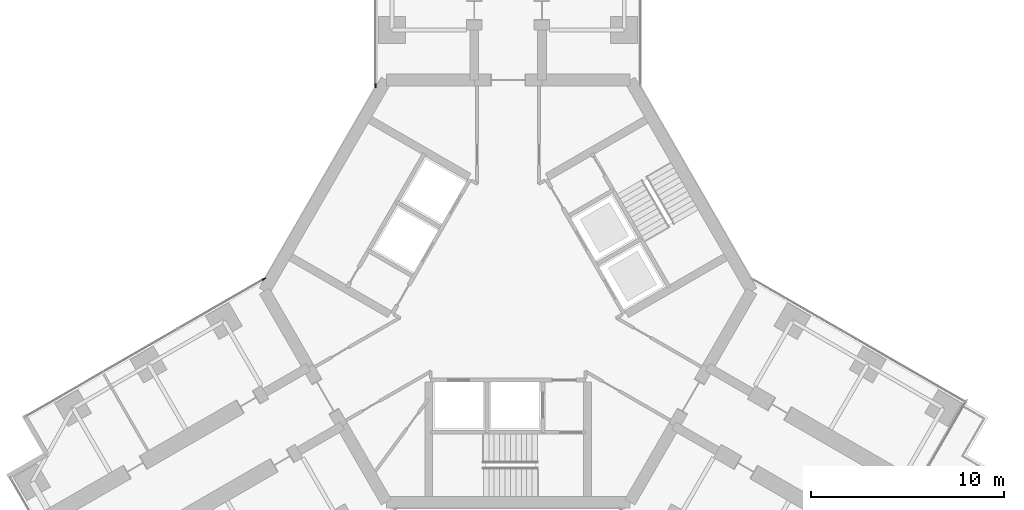
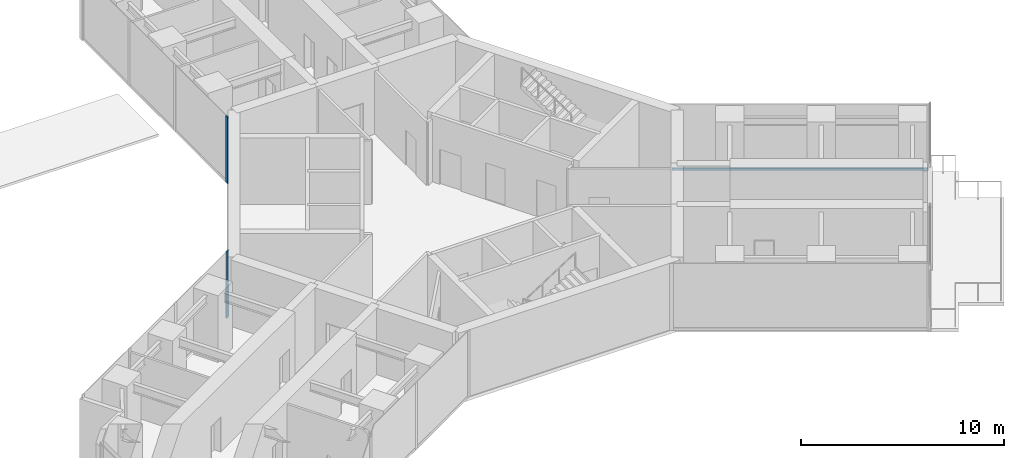
# One storey, part 9 of 22: 3 members, 3 elements without a shape of their own.
"""IFC4 building model written with IfcOpenShell, lengths in metres."""

import ifcopenshell
import ifcopenshell.guid

model = None  # the IFC model being written
_history = None  # IfcOwnerHistory: only IFC2X3 demands one
_inside = {}  # id of a spatial element -> (the spatial element, [elements in it])
_under = {}  # id of a project, library or spatial element -> (it, [spatial elements below it])
_declared = {}  # id of a project -> (the project, [libraries it declares])
_typed = {}  # id of a type object -> (the type object, [elements of that type])
_made_of = {}  # id of a material, layer set ... -> (it, [elements and type objects made of it])


def new_model(schema):
    """Start an empty IFC model of exactly this schema.

    Asked for "IFC4X3", IfcOpenShell would pick the latest addendum, in which some entities
    have other attributes; the version numbers below select the first issue.
    IFC2X3 requires an IfcOwnerHistory on every rooted entity: one is made here for all.
    """
    global model, _history
    if schema == "IFC4X3":
        model = ifcopenshell.file(schema_version=(4, 3, 0, 0))
    else:
        model = ifcopenshell.file(schema=schema)
    _inside.clear()
    _under.clear()
    _declared.clear()
    _typed.clear()
    _made_of.clear()
    _history = None
    if model.schema == "IFC2X3":
        org = make("IfcOrganization", Name="unknown")
        user = make(
            "IfcPersonAndOrganization",
            ThePerson=make("IfcPerson", FamilyName="unknown"),
            TheOrganization=org,
        )
        app = make(
            "IfcApplication",
            ApplicationDeveloper=org,
            Version="unknown",
            ApplicationFullName="unknown",
            ApplicationIdentifier="unknown",
        )
        _history = make(
            "IfcOwnerHistory",
            OwningUser=user,
            OwningApplication=app,
            ChangeAction="ADDED",
            CreationDate=0,
        )
    return model


def make(cls, **values):
    """One entity of the class cls with the attributes given. An attribute that is None is left unset."""
    return model.create_entity(
        cls, **{name: value for name, value in values.items() if value is not None}
    )


def rooted(cls, **values):
    """An entity with a GlobalId (a new one), such as an element, a storey or a relation."""
    return make(cls, GlobalId=ifcopenshell.guid.new(), OwnerHistory=_history, **values)


def si_unit(unit_type, name, prefix=None):
    """IfcSIUnit, for example si_unit("LENGTHUNIT", "METRE", prefix="MILLI")."""
    return make("IfcSIUnit", UnitType=unit_type, Prefix=prefix, Name=name)


def assignment(units):
    """IfcUnitAssignment: the units of a project."""
    return None if units is None else make("IfcUnitAssignment", Units=units)


def point(xyz):
    """IfcCartesianPoint."""
    return None if xyz is None else make("IfcCartesianPoint", Coordinates=xyz)


def direction(xyz):
    """IfcDirection."""
    return None if xyz is None else make("IfcDirection", DirectionRatios=xyz)


def frame(location, z_axis=None, x_axis=None):
    """IfcAxis2Placement3D, a coordinate frame: its origin and axes. An axis left out is left unset."""
    return make(
        "IfcAxis2Placement3D",
        Location=point(location),
        Axis=direction(z_axis),
        RefDirection=direction(x_axis),
    )


def frame_2d(location, x_axis=None):
    """IfcAxis2Placement2D, a coordinate frame in the plane: its origin and x axis."""
    return make(
        "IfcAxis2Placement2D", Location=point(location), RefDirection=direction(x_axis)
    )


def origin():
    """The frame at (0, 0, 0) with its axes left unset."""
    return frame((0.0, 0.0, 0.0))


def origin_2d():
    """The frame at (0, 0) in the plane with its x axis left unset."""
    return frame_2d((0.0, 0.0))


def place(relative_to, where):
    """IfcLocalPlacement: puts the frame where relative to a parent placement (None: the world)."""
    return make(
        "IfcLocalPlacement", PlacementRelTo=relative_to, RelativePlacement=where
    )


def context(
    kind, dimensions, precision=None, world=None, true_north=None, identifier=None
):
    """IfcGeometricRepresentationContext, for example the 3D "Model" context."""
    return make(
        "IfcGeometricRepresentationContext",
        ContextIdentifier=identifier,
        ContextType=kind,
        CoordinateSpaceDimension=dimensions,
        Precision=precision,
        WorldCoordinateSystem=world,
        TrueNorth=true_north,
    )


def subcontext(parent, identifier, kind, view, scale=None):
    """IfcGeometricRepresentationSubContext, for example "Body" below "Model"."""
    return make(
        "IfcGeometricRepresentationSubContext",
        ContextIdentifier=identifier,
        ContextType=kind,
        ParentContext=parent,
        TargetScale=scale,
        TargetView=view,
    )


def project(units=None, contexts=None):
    """IfcProject with its units and contexts."""
    return rooted(
        "IfcProject",
        Name="project",
        RepresentationContexts=contexts,
        UnitsInContext=assignment(units),
    )


def spatial(cls, under=None, at=None, **own):
    """A site, building, storey or space (cls), placed at a placement, below another one or the project."""
    s = rooted(cls, ObjectPlacement=at, **own)
    if under is not None:
        _under.setdefault(under.id(), (under, []))[1].append(s)
    return s


def profile(cls, at=None, kind="AREA", **sizes):
    """A parametric profile (cls). Its sizes go by their IFC names, for example OverallWidth=200.0."""
    return make(cls, ProfileType=kind, Position=at, **sizes)


def rectangle(**sizes):
    """IfcRectangleProfileDef."""
    return profile("IfcRectangleProfileDef", **sizes)


def extrude(swept, where, along, depth):
    """IfcExtrudedAreaSolid: the profile swept, set in the frame where, extruded along a direction by depth."""
    return make(
        "IfcExtrudedAreaSolid",
        SweptArea=swept,
        Position=where,
        ExtrudedDirection=direction(along),
        Depth=depth,
    )


def shape(context_of_items, identifier, shape_type, items):
    """IfcShapeRepresentation: the items that make up one representation, for example the "Body"."""
    return make(
        "IfcShapeRepresentation",
        ContextOfItems=context_of_items,
        RepresentationIdentifier=identifier,
        RepresentationType=shape_type,
        Items=items,
    )


def material(Name=None, Category=None):
    """IfcMaterial."""
    return make("IfcMaterial", Name=Name, Category=Category)


def material_profile(
    of_material, cross_section, Name=None, Category=None, Priority=None
):
    """IfcMaterialProfile: a cross section and its material."""
    return make(
        "IfcMaterialProfile",
        Name=Name,
        Material=of_material,
        Profile=cross_section,
        Priority=Priority,
        Category=Category,
    )


def profile_set(profiles, Name=None, composite=None):
    """IfcMaterialProfileSet."""
    return make(
        "IfcMaterialProfileSet",
        Name=Name,
        MaterialProfiles=profiles,
        CompositeProfile=composite,
    )


def made_of(thing, what):
    """Note that an element or type object is made of a material, layer set ...; save() writes the relation."""
    if what is not None:
        _made_of.setdefault(what.id(), (what, []))[1].append(thing)
    return thing


def type_object(cls, material=None, **own):
    """A type object (cls), such as IfcWallType, which elements share."""
    return made_of(rooted(cls, **own), material)


def element(
    cls,
    number,
    at=None,
    inside=None,
    cuts=None,
    type_object=None,
    material=None,
    context=None,
    identifier="Body",
    shape_type=None,
    held_by="IfcProductDefinitionShape",
    body=None,
    shapes=None,
    **own,
):
    """One element of the class cls, such as IfcWall. Its Tag is "e" and its number.

    at: its placement. inside: the storey or other place that contains it. cuts: it is an
    opening in that element (IfcRelVoidsElement). A single representation is given by context,
    identifier, shape_type and body (its items); several are given by shapes. held_by: the class
    of the entity that holds the representations. save() writes the other relations.
    """
    e = rooted(cls, Tag="e%d" % number, ObjectPlacement=at, **own)
    if body is not None:
        shapes = [shape(context, identifier, shape_type, body)]
    if shapes is not None:
        e.Representation = make(held_by, Representations=shapes)
    if inside is not None:
        _inside.setdefault(inside.id(), (inside, []))[1].append(e)
    if cuts is not None:
        rooted(
            "IfcRelVoidsElement", RelatingBuildingElement=cuts, RelatedOpeningElement=e
        )
    if type_object is not None:
        _typed.setdefault(type_object.id(), (type_object, []))[1].append(e)
    return made_of(e, material)


def aggregate(whole, parts):
    """IfcRelAggregates: a whole, such as a stair, and the parts it consists of."""
    return rooted("IfcRelAggregates", RelatingObject=whole, RelatedObjects=parts)


def save(model, path):
    """Write the relations noted so far, then the file.

    IfcRelAggregates (storeys below a building ...), IfcRelContainedInSpatialStructure (elements
    in a storey), IfcRelDefinesByType, IfcRelAssociatesMaterial and IfcRelDeclares: one each for
    every whole, place, type object, material and project.
    """
    for whole, parts in _under.values():
        aggregate(whole, parts)
    for where, things in _inside.values():
        rooted(
            "IfcRelContainedInSpatialStructure",
            RelatedElements=things,
            RelatingStructure=where,
        )
    for kind, things in _typed.values():
        rooted("IfcRelDefinesByType", RelatedObjects=things, RelatingType=kind)
    for what, things in _made_of.values():
        rooted("IfcRelAssociatesMaterial", RelatedObjects=things, RelatingMaterial=what)
    for by, libraries in _declared.values():
        rooted("IfcRelDeclares", RelatingContext=by, RelatedDefinitions=libraries)
    model.write(path)


model = new_model("IFC4")

# Units and contexts
model_context = context("Model", 3, precision=1e-05, world=origin(), true_north=direction((0.0, 1.0)))
body_context = subcontext(model_context, "Body", "Model", "MODEL_VIEW")
ifc_project = project(units=[si_unit("LENGTHUNIT", "METRE"), si_unit("AREAUNIT", "SQUARE_METRE"), si_unit("VOLUMEUNIT", "CUBIC_METRE"), si_unit("PLANEANGLEUNIT", "RADIAN"), si_unit("MASSUNIT", "GRAM", prefix="KILO")], contexts=[model_context])

# Site, building, storey
site_placement = place(None, origin())
site = spatial("IfcSite", under=ifc_project, at=site_placement, CompositionType="ELEMENT")
building_placement = place(site_placement, origin())
building = spatial("IfcBuilding", under=site, at=building_placement, Name="Upepo Twin Towers", CompositionType="ELEMENT")
storey_placement = place(building_placement, frame((0.0, 0.0, 97.5)))
storey = spatial("IfcBuildingStorey", under=building, at=storey_placement, Name="L23", CompositionType="ELEMENT", Elevation=97.5)

# Curtain wall, member
ifc_material_1 = material(Name="Aluminium and fritted glass", Category="aluminium")
curtain_wall_type = type_object("IfcCurtainWallType", Name="Tower curtain wall TW2, fritted glass", PredefinedType="NOTDEFINED", material=ifc_material_1)
curtain_wall_1_placement = place(storey_placement, origin())
curtain_wall_1 = element("IfcCurtainWall", 1, at=curtain_wall_1_placement, inside=storey, type_object=curtain_wall_type, Name="T2 L23 wing A flank L curtain wall", PredefinedType="NOTDEFINED")
ifc_material_2 = material(Name="Aluminium mullion", Category="aluminium")
ifc_material_profile_1 = material_profile(ifc_material_2, rectangle(XDim=0.06494140625, YDim=0.199951171875, at=origin_2d()), Name="MULLION 65x200")
ifc_profile_set_1 = profile_set([ifc_material_profile_1], Name="Aluminium mullion")
member_type_1 = type_object("IfcMemberType", Name="Mullion 65x200 TW2", PredefinedType="MULLION", material=ifc_profile_set_1)
member_1_placement = place(storey_placement, frame((51.64990234375, -7.38037109375, 0.0), z_axis=(0.0, 0.0, 1.0), x_axis=(-1.0, 0.0, 0.0)))
member_1 = element("IfcMember", 2, at=member_1_placement, type_object=member_type_1, Name="T2 L23 wing A flank L curtain wall mullion 1", PredefinedType="MULLION", context=body_context, shape_type="SweptSolid", body=[
    extrude(rectangle(XDim=0.06494140625, YDim=0.199951171875, at=origin_2d()), origin(), (0.0, 0.0, 1.0), 4.0),
])
aggregate(curtain_wall_1, [member_1])

curtain_wall_2_placement = place(storey_placement, origin())
curtain_wall_2 = element("IfcCurtainWall", 3, at=curtain_wall_2_placement, inside=storey, type_object=curtain_wall_type, Name="T2 L23 wing B flank R curtain wall", PredefinedType="NOTDEFINED")
member_2_placement = place(storey_placement, frame((45.878173828125, -17.37744140625, 0.0), z_axis=(0.0, 0.0, 1.0), x_axis=(-0.500000010308, 0.866025397833, 0.0)))
member_2 = element("IfcMember", 4, at=member_2_placement, type_object=member_type_1, Name="T2 L23 wing B flank R curtain wall mullion 4", PredefinedType="MULLION", context=body_context, shape_type="SweptSolid", body=[
    extrude(rectangle(XDim=0.06494140625, YDim=0.199951171875, at=origin_2d()), origin(), (0.0, 0.0, 1.0), 4.0),
])
aggregate(curtain_wall_2, [member_2])

curtain_wall_3_placement = place(storey_placement, origin())
curtain_wall_3 = element("IfcCurtainWall", 5, at=curtain_wall_3_placement, inside=storey, type_object=curtain_wall_type, Name="T2 L23 wing C flank L curtain wall", PredefinedType="NOTDEFINED")
ifc_material_3 = material(Name="Aluminium transom", Category="aluminium")
ifc_material_profile_2 = material_profile(ifc_material_3, rectangle(XDim=0.06494140625, YDim=0.14990234375, at=origin_2d()), Name="TRANSOM 65x150")
ifc_profile_set_2 = profile_set([ifc_material_profile_2], Name="Aluminium transom")
member_type_2 = type_object("IfcMemberType", Name="Transom 65x150 TW2", PredefinedType="USERDEFINED", material=ifc_profile_set_2)
member_3_placement = place(storey_placement, frame((71.14990234375, -17.393798828125, 0.074951171875), z_axis=(0.866027247007, -0.499996807431, 0.0), x_axis=(0.499996807431, 0.866027247007, 0.0)))
member_3 = element("IfcMember", 6, at=member_3_placement, type_object=member_type_2, Name="T2 L23 wing C flank L curtain wall transom 1", ObjectType="TRANSOM", PredefinedType="USERDEFINED", context=body_context, shape_type="SweptSolid", body=[
    extrude(rectangle(XDim=0.06494140625, YDim=0.14990234375, at=origin_2d()), origin(), (0.0, 0.0, 1.0), 12.6328125),
])
aggregate(curtain_wall_3, [member_3])

save(model, "model.ifc")
